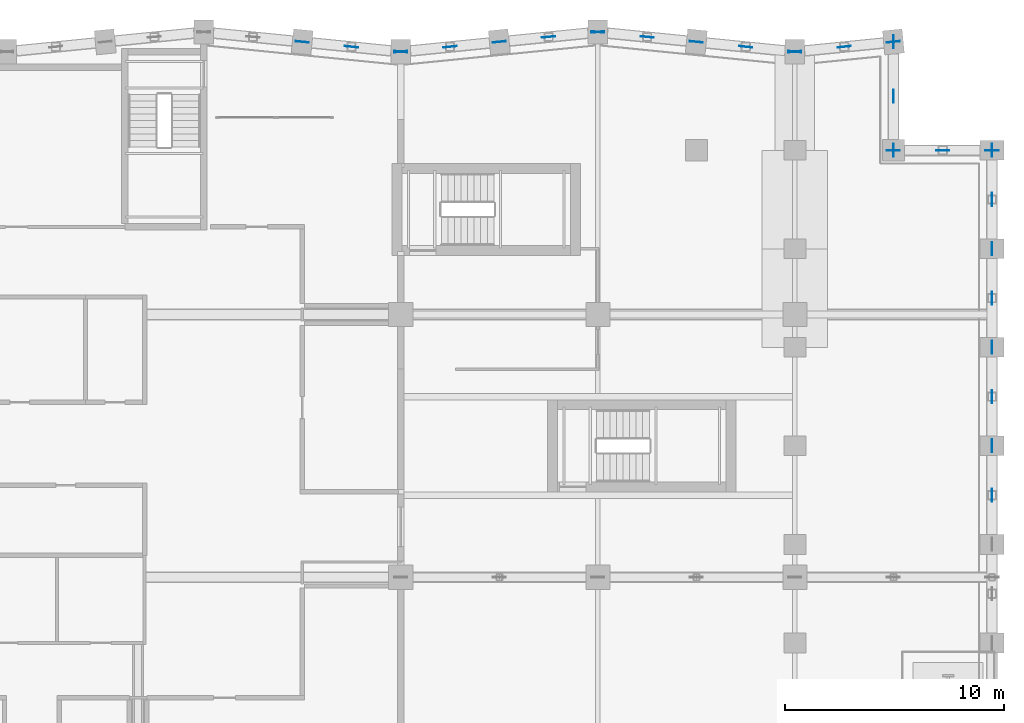
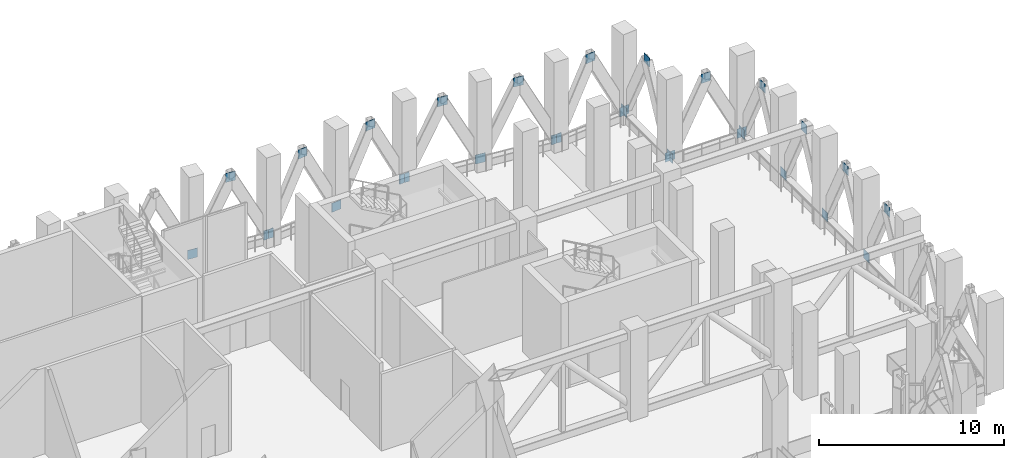
# One storey, part 22 of 28: 30 discrete accessories.
"""IFC4 building model written with IfcOpenShell, lengths in metres."""

from ifc_helpers import new_model, si_unit, direction, frame, origin, origin_2d, place, context, subcontext, project, spatial, rectangle, extrude, material, layer, layer_set, type_object, element, save


model = new_model("IFC4")

# Units and contexts
model_context = context("Model", 3, precision=1e-05, world=origin(), true_north=direction((0.0, 1.0)))
body_context = subcontext(model_context, "Body", "Model", "MODEL_VIEW")
ifc_project = project(units=[si_unit("LENGTHUNIT", "METRE"), si_unit("AREAUNIT", "SQUARE_METRE"), si_unit("VOLUMEUNIT", "CUBIC_METRE"), si_unit("PLANEANGLEUNIT", "RADIAN"), si_unit("MASSUNIT", "GRAM", prefix="KILO")], contexts=[model_context])

# Site, building, storey
site_placement = place(None, origin())
site = spatial("IfcSite", under=ifc_project, at=site_placement, CompositionType="ELEMENT")
building_placement = place(site_placement, origin())
building = spatial("IfcBuilding", under=site, at=building_placement, Name="Brondeck Convention Tower", CompositionType="ELEMENT")
storey_placement = place(building_placement, frame((0.0, 0.0, 192.800048828125)))
storey = spatial("IfcBuildingStorey", under=building, at=storey_placement, Name="L47", CompositionType="ELEMENT", Elevation=192.800048828125)

# Discrete accessories
ifc_material = material(Name="Steel S460", Category="steel")
ifc_layer = layer(ifc_material, 0.02490234375)
ifc_layer_set = layer_set([ifc_layer], Name="Gusset plate 600x600x25 Steel S460")
discrete_accessory_type = type_object("IfcDiscreteAccessoryType", Name="Gusset plate 600x600x25 Steel S460", PredefinedType="BRACKET", material=ifc_layer_set)
for number, where, z_axis, x_axis, name in (
    (1, (63.0, 42.75, 4.61572265625), (0.0, 0.0, 1.0), (0.0, 1.0, 0.0), "Gusset plate GP-565"),
    (2, (63.0, 45.0, 0.199951171875), (0.0, 0.0, 1.0), (0.0, 1.0, 0.0), "Gusset plate GP-566"),
    (3, (63.0, 47.25, 4.61572265625), (0.0, 0.0, 1.0), (0.0, 1.0, 0.0), "Gusset plate GP-567"),
    (4, (63.0, 49.5, 0.199951171875), (0.0, 0.0, 1.0), (0.0, 1.0, 0.0), "Gusset plate GP-568"),
    (5, (63.0, 51.75, 4.61572265625), (0.0, 0.0, 1.0), (0.0, 1.0, 0.0), "Gusset plate GP-569"),
    (6, (63.0, 54.0, 0.199951171875), (0.0, 0.0, 1.0), (0.0, 1.0, 0.0), "Gusset plate GP-570"),
    (7, (63.0, 56.25, 4.61572265625), (0.0, 0.0, 1.0), (0.0, 1.0, 0.0), "Gusset plate GP-571"),
    (8, (63.0, 58.5, 0.199951171875), (0.0, 0.0, 1.0), (0.0, 1.0, 0.0), "Gusset plate GP-572"),
    (9, (63.0, 58.5, 0.199951171875), (0.0, 0.0, 1.0), (1.0, 0.0, 0.0), "Gusset plate GP-573"),
    (10, (60.75, 58.5, 4.61572265625), (0.0, 0.0, 1.0), (1.0, 0.0, 0.0), "Gusset plate GP-574"),
    (11, (58.5, 58.5, 0.199951171875), (0.0, 0.0, 1.0), (1.0, 0.0, 0.0), "Gusset plate GP-575"),
    (12, (58.5, 58.5, 0.199951171875), (0.0, 0.0, 1.0), (0.0, 1.0, 0.0), "Gusset plate GP-576"),
    (13, (58.5, 60.97509765625, 5.0498046875), (0.0, 0.0, 1.0), (0.0, 1.0, 0.0), "Gusset plate GP-577"),
    (14, (58.5, 63.449951171875, 0.199951171875), (0.0, 0.0, 1.0), (0.0, 1.0, 0.0), "Gusset plate GP-578"),
    (15, (58.5, 63.449951171875, 0.199951171875), (0.0, 0.0, 1.0), (0.9950364836, 0.099510784867, 0.0), "Gusset plate GP-579"),
    (16, (56.25, 63.22509765625, 4.6376953125), (0.0, 0.0, 1.0), (0.9950364836, 0.099510784867, 0.0), "Gusset plate GP-580"),
    (17, (54.0, 63.0, 0.199951171875), (0.0, 0.0, 1.0), (0.9950364836, 0.099510784867, 0.0), "Gusset plate GP-581"),
    (18, (54.0, 63.0, 0.199951171875), (0.0, 0.0, 1.0), (-0.9950364836, 0.099510784867, 0.0), "Gusset plate GP-582"),
    (19, (51.75, 63.22509765625, 4.6376953125), (0.0, 0.0, 1.0), (-0.9950364836, 0.099510784867, 0.0), "Gusset plate GP-583"),
    (20, (49.5, 63.449951171875, 0.199951171875), (0.0, 0.0, 1.0), (-0.9950364836, 0.099510784867, 0.0), "Gusset plate GP-584"),
    (21, (47.25, 63.675048828125, 4.6376953125), (0.0, 0.0, 1.0), (-0.9950364836, 0.099510784867, 0.0), "Gusset plate GP-585"),
    (22, (45.0, 63.89990234375, 0.199951171875), (0.0, 0.0, 1.0), (-0.9950364836, 0.099510784867, 0.0), "Gusset plate GP-586"),
    (23, (45.0, 63.89990234375, 0.199951171875), (0.0, 0.0, 1.0), (0.9950364836, 0.099510784867, 0.0), "Gusset plate GP-587"),
    (24, (42.75, 63.675048828125, 4.6376953125), (0.0, 0.0, 1.0), (0.9950364836, 0.099510784867, 0.0), "Gusset plate GP-588"),
    (25, (40.5, 63.449951171875, 0.199951171875), (0.0, 0.0, 1.0), (0.9950364836, 0.099510784867, 0.0), "Gusset plate GP-589"),
    (26, (38.25, 63.22509765625, 4.6376953125), (0.0, 0.0, 1.0), (0.9950364836, 0.099510784867, 0.0), "Gusset plate GP-590"),
    (27, (36.0, 63.0, 0.199951171875), (0.0, 0.0, 1.0), (0.9950364836, 0.099510784867, 0.0), "Gusset plate GP-591"),
    (28, (36.0, 63.0, 0.199951171875), (0.0, 0.0, 1.0), (-0.9950364836, 0.099510784867, 0.0), "Gusset plate GP-592"),
    (29, (33.75, 63.22509765625, 4.6376953125), (0.0, 0.0, 1.0), (-0.9950364836, 0.099510784867, 0.0), "Gusset plate GP-593"),
    (30, (31.5, 63.449951171875, 0.199951171875), (0.0, 0.0, 1.0), (-0.9950364836, 0.099510784867, 0.0), "Gusset plate GP-594"),
):
    element("IfcDiscreteAccessory", number, at=place(storey_placement, frame(where, z_axis=z_axis, x_axis=x_axis)), inside=storey, type_object=discrete_accessory_type, Name=name, PredefinedType="BRACKET", context=body_context, shape_type="SweptSolid", body=[
        extrude(rectangle(XDim=0.60009765625, YDim=0.02490234375, at=origin_2d()), origin(), (0.0, 0.0, 1.0), 0.60009765625),
    ])

save(model, "model.ifc")
